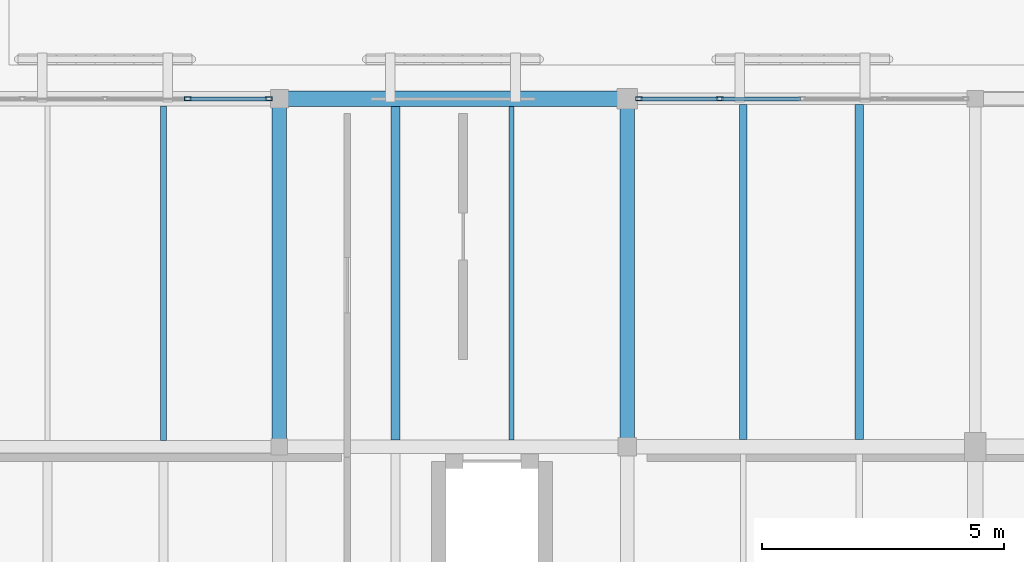
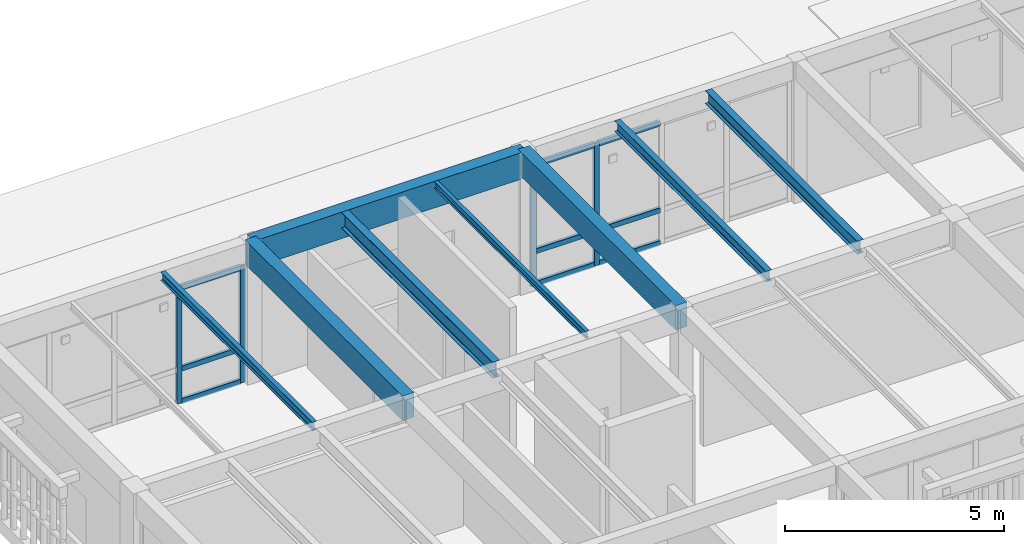
# One storey, part 64 of 112: 13 members, 8 beams, 2 elements without a shape of their own.
"""IFC4 building model written with IfcOpenShell, lengths in metres."""

from ifc_helpers import new_model, si_unit, direction, frame, origin, origin_2d, place, context, subcontext, project, spatial, rectangle, hollow_rectangle, i_section, extrude, material, layer, layer_set, material_profile, profile_set, type_object, element, aggregate, save


model = new_model("IFC4")

# Units and contexts
model_context = context("Model", 3, precision=1e-05, world=origin(), true_north=direction((0.0, 1.0)))
body_context = subcontext(model_context, "Body", "Model", "MODEL_VIEW")
ifc_project = project(units=[si_unit("LENGTHUNIT", "METRE"), si_unit("AREAUNIT", "SQUARE_METRE"), si_unit("VOLUMEUNIT", "CUBIC_METRE"), si_unit("PLANEANGLEUNIT", "RADIAN"), si_unit("MASSUNIT", "GRAM", prefix="KILO")], contexts=[model_context])

# Site, building, storey
site_placement = place(None, origin())
site = spatial("IfcSite", under=ifc_project, at=site_placement, CompositionType="ELEMENT")
building_placement = place(site_placement, origin())
building = spatial("IfcBuilding", under=site, at=building_placement, Name="Mazaris Harbour Polytechnic", CompositionType="ELEMENT")
storey_placement = place(building_placement, frame((0.0, 0.0, 13.800048828125)))
storey = spatial("IfcBuildingStorey", under=building, at=storey_placement, Name="L03", CompositionType="ELEMENT", Elevation=13.800048828125)

# Curtain wall, members
ifc_material_1 = material(Name="Anodised Bronze Aluminium and Low-E Glass", Category="aluminium")
ifc_layer = layer(ifc_material_1, 0.169921875, Name="Anodised Bronze Aluminium and Low-E Glass")
ifc_layer_set = layer_set([ifc_layer], Name="Anodised Bronze Aluminium and Low-E Glass")
curtain_wall_type = type_object("IfcCurtainWallType", Name="Studio North-Light Curtain Wall", PredefinedType="NOTDEFINED", material=ifc_layer_set)
curtain_wall_1_placement = place(storey_placement, origin())
curtain_wall_1 = element("IfcCurtainWall", 1, at=curtain_wall_1_placement, inside=storey, type_object=curtain_wall_type, Name="V5 L03 Curtain Wall 249", PredefinedType="NOTDEFINED")
ifc_material_2 = material(Name="Anodised Bronze Steel S355", Category="steel")
ifc_material_profile_1 = material_profile(ifc_material_2, hollow_rectangle(XDim=0.080078125, YDim=0.139892578125, WallThickness=0.00634765625, at=origin_2d()), Name="RHS 80x140x6.3")
ifc_profile_set_1 = profile_set([ifc_material_profile_1], Name="Anodised Bronze Steel S355")
member_type_1 = type_object("IfcMemberType", Name="Curtain Mullion RHS80x140", PredefinedType="MULLION", material=ifc_profile_set_1)
member_1_placement = place(storey_placement, frame((127.7041015625, 100.800048828125, 0.0), z_axis=(0.0, 0.0, 1.0), x_axis=(0.0, 1.0, 0.0)))
member_1 = element("IfcMember", 2, at=member_1_placement, type_object=member_type_1, Name="CW-03 mullion 4", PredefinedType="MULLION", context=body_context, shape_type="SweptSolid", body=[
    extrude(hollow_rectangle(XDim=0.080078125, YDim=0.139892578125, WallThickness=0.00634765625, at=origin_2d()), origin(), (0.0, 0.0, 1.0), 3.244873046875),
])
member_2_placement = place(storey_placement, frame((129.3779296875, 100.800048828125, 0.0), z_axis=(0.0, 0.0, 1.0), x_axis=(0.0, 1.0, 0.0)))
member_2 = element("IfcMember", 3, at=member_2_placement, type_object=member_type_1, Name="CW-03 mullion 5", PredefinedType="MULLION", context=body_context, shape_type="SweptSolid", body=[
    extrude(hollow_rectangle(XDim=0.080078125, YDim=0.139892578125, WallThickness=0.00634765625, at=origin_2d()), origin(), (0.0, 0.0, 1.0), 3.244873046875),
])

curtain_wall_2_placement = place(storey_placement, origin())
curtain_wall_2 = element("IfcCurtainWall", 4, at=curtain_wall_2_placement, inside=storey, type_object=curtain_wall_type, Name="V5 L03 Curtain Wall 250", PredefinedType="NOTDEFINED")
member_3_placement = place(storey_placement, frame((137.0419921875, 100.800048828125, 0.0), z_axis=(0.0, 0.0, 1.0), x_axis=(0.0, 1.0, 0.0)))
member_3 = element("IfcMember", 5, at=member_3_placement, type_object=member_type_1, Name="CW-03 mullion 1", PredefinedType="MULLION", context=body_context, shape_type="SweptSolid", body=[
    extrude(hollow_rectangle(XDim=0.080078125, YDim=0.139892578125, WallThickness=0.00634765625, at=origin_2d()), origin(), (0.0, 0.0, 1.0), 3.405029296875),
])
member_4_placement = place(storey_placement, frame((138.7109375, 100.800048828125, 0.0), z_axis=(0.0, 0.0, 1.0), x_axis=(0.0, 1.0, 0.0)))
member_4 = element("IfcMember", 6, at=member_4_placement, type_object=member_type_1, Name="CW-03 mullion 2", PredefinedType="MULLION", context=body_context, shape_type="SweptSolid", body=[
    extrude(hollow_rectangle(XDim=0.080078125, YDim=0.139892578125, WallThickness=0.00634765625, at=origin_2d()), origin(), (0.0, 0.0, 1.0), 3.405029296875),
])

# Member
ifc_material_3 = material(Name="Anodised Bronze Steel S355", Category="steel")
ifc_material_profile_2 = material_profile(ifc_material_3, hollow_rectangle(XDim=0.080078125, YDim=0.139892578125, WallThickness=0.00634765625, at=origin_2d()), Name="RHS 80x140x6.3")
ifc_profile_set_2 = profile_set([ifc_material_profile_2], Name="Anodised Bronze Steel S355")
member_type_2 = type_object("IfcMemberType", Name="Curtain Transom RHS80x140", PredefinedType="USERDEFINED", material=ifc_profile_set_2)
member_5_placement = place(storey_placement, frame((127.743896484375, 100.800048828125, 0.0400390625), z_axis=(1.0, 0.0, 0.0), x_axis=(0.0, 1.0, 0.0)))
member_5 = element("IfcMember", 7, at=member_5_placement, type_object=member_type_2, Name="CW-03 transom 4.1", ObjectType="TRANSOM", PredefinedType="USERDEFINED", context=body_context, shape_type="SweptSolid", body=[
    extrude(hollow_rectangle(XDim=0.080078125, YDim=0.139892578125, WallThickness=0.00634765625, at=origin_2d()), origin(), (0.0, 0.0, 1.0), 1.593994140625),
])

member_6_placement = place(storey_placement, frame((127.743896484375, 100.800048828125, 0.949951171875), z_axis=(1.0, 0.0, 0.0), x_axis=(0.0, 1.0, 0.0)))
member_6 = element("IfcMember", 8, at=member_6_placement, type_object=member_type_2, Name="CW-03 transom 4.2", ObjectType="TRANSOM", PredefinedType="USERDEFINED", context=body_context, shape_type="SweptSolid", body=[
    extrude(hollow_rectangle(XDim=0.080078125, YDim=0.139892578125, WallThickness=0.00634765625, at=origin_2d()), origin(), (0.0, 0.0, 1.0), 1.593994140625),
])

member_7_placement = place(storey_placement, frame((127.743896484375, 100.800048828125, 3.204833984375), z_axis=(1.0, 0.0, 0.0), x_axis=(0.0, 1.0, 0.0)))
member_7 = element("IfcMember", 9, at=member_7_placement, type_object=member_type_2, Name="CW-03 transom 4.3", ObjectType="TRANSOM", PredefinedType="USERDEFINED", context=body_context, shape_type="SweptSolid", body=[
    extrude(hollow_rectangle(XDim=0.080078125, YDim=0.139892578125, WallThickness=0.00634765625, at=origin_2d()), origin(), (0.0, 0.0, 1.0), 1.593994140625),
])

aggregate(curtain_wall_1, [member_1, member_2, member_5, member_6, member_7])

member_8_placement = place(storey_placement, frame((137.08203125, 100.800048828125, 0.0400390625), z_axis=(1.0, 0.0, 0.0), x_axis=(0.0, 1.0, 0.0)))
member_8 = element("IfcMember", 10, at=member_8_placement, type_object=member_type_2, Name="CW-03 transom 1.1", ObjectType="TRANSOM", PredefinedType="USERDEFINED", context=body_context, shape_type="SweptSolid", body=[
    extrude(hollow_rectangle(XDim=0.080078125, YDim=0.139892578125, WallThickness=0.00634765625, at=origin_2d()), origin(), (0.0, 0.0, 1.0), 1.5888671875),
])

member_9_placement = place(storey_placement, frame((137.08203125, 100.800048828125, 0.949951171875), z_axis=(1.0, 0.0, 0.0), x_axis=(0.0, 1.0, 0.0)))
member_9 = element("IfcMember", 11, at=member_9_placement, type_object=member_type_2, Name="CW-03 transom 1.2", ObjectType="TRANSOM", PredefinedType="USERDEFINED", context=body_context, shape_type="SweptSolid", body=[
    extrude(hollow_rectangle(XDim=0.080078125, YDim=0.139892578125, WallThickness=0.00634765625, at=origin_2d()), origin(), (0.0, 0.0, 1.0), 1.5888671875),
])

member_10_placement = place(storey_placement, frame((137.08203125, 100.800048828125, 3.364990234375), z_axis=(1.0, 0.0, 0.0), x_axis=(0.0, 1.0, 0.0)))
member_10 = element("IfcMember", 12, at=member_10_placement, type_object=member_type_2, Name="CW-03 transom 1.3", ObjectType="TRANSOM", PredefinedType="USERDEFINED", context=body_context, shape_type="SweptSolid", body=[
    extrude(hollow_rectangle(XDim=0.080078125, YDim=0.139892578125, WallThickness=0.00634765625, at=origin_2d()), origin(), (0.0, 0.0, 1.0), 1.5888671875),
])

member_11_placement = place(storey_placement, frame((138.7509765625, 100.800048828125, 0.0400390625), z_axis=(1.0, 0.0, 0.0), x_axis=(0.0, 1.0, 0.0)))
member_11 = element("IfcMember", 13, at=member_11_placement, type_object=member_type_2, Name="CW-03 transom 2.1", ObjectType="TRANSOM", PredefinedType="USERDEFINED", context=body_context, shape_type="SweptSolid", body=[
    extrude(hollow_rectangle(XDim=0.080078125, YDim=0.139892578125, WallThickness=0.00634765625, at=origin_2d()), origin(), (0.0, 0.0, 1.0), 1.62890625),
])

member_12_placement = place(storey_placement, frame((138.7509765625, 100.800048828125, 0.949951171875), z_axis=(1.0, 0.0, 0.0), x_axis=(0.0, 1.0, 0.0)))
member_12 = element("IfcMember", 14, at=member_12_placement, type_object=member_type_2, Name="CW-03 transom 2.2", ObjectType="TRANSOM", PredefinedType="USERDEFINED", context=body_context, shape_type="SweptSolid", body=[
    extrude(hollow_rectangle(XDim=0.080078125, YDim=0.139892578125, WallThickness=0.00634765625, at=origin_2d()), origin(), (0.0, 0.0, 1.0), 1.62890625),
])

member_13_placement = place(storey_placement, frame((138.7509765625, 100.800048828125, 3.364990234375), z_axis=(1.0, 0.0, 0.0), x_axis=(0.0, 1.0, 0.0)))
member_13 = element("IfcMember", 15, at=member_13_placement, type_object=member_type_2, Name="CW-03 transom 2.3", ObjectType="TRANSOM", PredefinedType="USERDEFINED", context=body_context, shape_type="SweptSolid", body=[
    extrude(hollow_rectangle(XDim=0.080078125, YDim=0.139892578125, WallThickness=0.00634765625, at=origin_2d()), origin(), (0.0, 0.0, 1.0), 1.62890625),
])

aggregate(curtain_wall_2, [member_3, member_4, member_8, member_9, member_10, member_11, member_12, member_13])

# Beams
ifc_material_4 = material(Name="Glulam GL32h", Category="wood")
ifc_material_profile_3 = material_profile(ifc_material_4, rectangle(XDim=0.300048828125, YDim=0.679931640625, at=origin_2d()), Name="RECT300x680")
ifc_profile_set_3 = profile_set([ifc_material_profile_3], Name="Glulam GL32h")
beam_type_1 = type_object("IfcBeamType", Name="Glulam Girder 300x680", PredefinedType="BEAM", material=ifc_profile_set_3)
for number, where, z_axis, x_axis, name in (
    (16, (129.60009765625, 93.60009765625, 3.594970703125), (0.0, 1.0, 0.0), (-1.0, 0.0, 0.0), "V5 L03 Tie Girder 3338"),
    (17, (136.800048828125, 93.60009765625, 3.594970703125), (0.0, 1.0, 0.0), (-1.0, 0.0, 0.0), "V5 L03 Tie Girder 3343"),
):
    element("IfcBeam", number, at=place(storey_placement, frame(where, z_axis=z_axis, x_axis=x_axis)), inside=storey, type_object=beam_type_1, Name=name, PredefinedType="BEAM", context=body_context, shape_type="SweptSolid", body=[
        extrude(rectangle(XDim=0.300048828125, YDim=0.679931640625, at=origin_2d()), origin(), (0.0, 0.0, 1.0), 7.199951171875),
    ])
ifc_material_5 = material(Name="Glulam GL32h", Category="wood")
ifc_material_profile_4 = material_profile(ifc_material_5, rectangle(XDim=0.320068359375, YDim=0.739990234375, at=origin_2d()), Name="RECT320x740")
ifc_profile_set_4 = profile_set([ifc_material_profile_4], Name="Glulam GL32h")
beam_type_2 = type_object("IfcBeamType", Name="Glulam Girder 320x740 Exterior", PredefinedType="BEAM", material=ifc_profile_set_4)
beam_1_placement = place(storey_placement, frame((129.60009765625, 100.800048828125, 3.56494140625), z_axis=(1.0, 0.0, 0.0), x_axis=(0.0, 1.0, 0.0)))
element("IfcBeam", 18, at=beam_1_placement, inside=storey, type_object=beam_type_2, Name="V5 L03 Girder 3324", PredefinedType="BEAM", context=body_context, shape_type="SweptSolid", body=[
    extrude(rectangle(XDim=0.320068359375, YDim=0.739990234375, at=origin_2d()), origin(), (0.0, 0.0, 1.0), 7.199951171875),
])
ifc_material_6 = material(Name="Steel S355", Category="steel")
ifc_material_profile_5 = material_profile(ifc_material_6, i_section(OverallWidth=0.10009765625, OverallDepth=0.199951171875, WebThickness=0.005615234375, FlangeThickness=0.008544921875, FilletRadius=0.011962890625, at=origin_2d()), Name="IPE 200")
ifc_profile_set_5 = profile_set([ifc_material_profile_5], Name="Steel S355")
beam_type_3 = type_object("IfcBeamType", Name="Steel Joist IPE200", PredefinedType="JOIST", material=ifc_profile_set_5)
beam_2_placement = place(storey_placement, frame((134.39990234375, 93.739990234375, 3.8349609375), z_axis=(0.0, 1.0, 0.0), x_axis=(-1.0, 0.0, 0.0)))
element("IfcBeam", 19, at=beam_2_placement, inside=storey, type_object=beam_type_3, Name="V5 L03 Floor Joist 3374", PredefinedType="JOIST", context=body_context, shape_type="SweptSolid", body=[
    extrude(i_section(OverallWidth=0.10009765625, OverallDepth=0.199951171875, WebThickness=0.005615234375, FlangeThickness=0.008544921875, FilletRadius=0.011962890625, at=origin_2d()), origin(), (0.0, 0.0, 1.0), 6.89990234375),
])
ifc_material_7 = material(Name="Steel S355", Category="steel")
ifc_material_profile_6 = material_profile(ifc_material_7, i_section(OverallWidth=0.1201171875, OverallDepth=0.239990234375, WebThickness=0.006103515625, FlangeThickness=0.009765625, FilletRadius=0.014892578125, at=origin_2d()), Name="IPE 240")
ifc_profile_set_6 = profile_set([ifc_material_profile_6], Name="Steel S355")
beam_type_4 = type_object("IfcBeamType", Name="Steel Joist IPE240", PredefinedType="JOIST", material=ifc_profile_set_6)
beam_3_placement = place(storey_placement, frame((127.199951171875, 93.72998046875, 3.81494140625), z_axis=(0.0, 1.0, 0.0), x_axis=(-1.0, 0.0, 0.0)))
element("IfcBeam", 20, at=beam_3_placement, inside=storey, type_object=beam_type_4, Name="V5 L03 Floor Joist 3368", PredefinedType="JOIST", context=body_context, shape_type="SweptSolid", body=[
    extrude(i_section(OverallWidth=0.1201171875, OverallDepth=0.239990234375, WebThickness=0.006103515625, FlangeThickness=0.009765625, FilletRadius=0.014892578125, at=origin_2d()), origin(), (0.0, 0.0, 1.0), 6.919921875),
])
ifc_material_8 = material(Name="Steel S355", Category="steel")
ifc_material_profile_7 = material_profile(ifc_material_8, i_section(OverallWidth=0.14990234375, OverallDepth=0.300048828125, WebThickness=0.007080078125, FlangeThickness=0.0107421875, FilletRadius=0.014892578125, at=origin_2d()), Name="IPE 300")
ifc_profile_set_7 = profile_set([ifc_material_profile_7], Name="Steel S355")
beam_type_5 = type_object("IfcBeamType", Name="Steel Joist IPE300", PredefinedType="JOIST", material=ifc_profile_set_7)
beam_4_placement = place(storey_placement, frame((139.199951171875, 93.75, 3.784912109375), z_axis=(0.0, 1.0, 0.0), x_axis=(-1.0, 0.0, 0.0)))
element("IfcBeam", 21, at=beam_4_placement, inside=storey, type_object=beam_type_5, Name="V5 L03 Floor Joist 3377", PredefinedType="JOIST", context=body_context, shape_type="SweptSolid", body=[
    extrude(i_section(OverallWidth=0.14990234375, OverallDepth=0.300048828125, WebThickness=0.007080078125, FlangeThickness=0.0107421875, FilletRadius=0.014892578125, at=origin_2d()), origin(), (0.0, 0.0, 1.0), 6.929931640625),
])
ifc_material_9 = material(Name="Steel S355", Category="steel")
ifc_material_profile_8 = material_profile(ifc_material_9, i_section(OverallWidth=0.169921875, OverallDepth=0.360107421875, WebThickness=0.008056640625, FlangeThickness=0.0126953125, FilletRadius=0.01806640625, at=origin_2d()), Name="IPE 360")
ifc_profile_set_8 = profile_set([ifc_material_profile_8], Name="Steel S355")
beam_type_6 = type_object("IfcBeamType", Name="Steel Joist IPE360", PredefinedType="JOIST", material=ifc_profile_set_8)
beam_5_placement = place(storey_placement, frame((141.60009765625, 93.75, 3.7548828125), z_axis=(0.0, 1.0, 0.0), x_axis=(-1.0, 0.0, 0.0)))
element("IfcBeam", 22, at=beam_5_placement, inside=storey, type_object=beam_type_6, Name="V5 L03 Floor Joist 3378", PredefinedType="JOIST", context=body_context, shape_type="SweptSolid", body=[
    extrude(i_section(OverallWidth=0.169921875, OverallDepth=0.360107421875, WebThickness=0.008056640625, FlangeThickness=0.0126953125, FilletRadius=0.01806640625, at=origin_2d()), origin(), (0.0, 0.0, 1.0), 6.929931640625),
])
ifc_material_10 = material(Name="Steel S355", Category="steel")
ifc_material_profile_9 = material_profile(ifc_material_10, i_section(OverallWidth=0.18994140625, OverallDepth=0.449951171875, WebThickness=0.009521484375, FlangeThickness=0.0146484375, FilletRadius=0.02099609375, at=origin_2d()), Name="IPE 450")
ifc_profile_set_9 = profile_set([ifc_material_profile_9], Name="Steel S355")
beam_type_7 = type_object("IfcBeamType", Name="Steel Joist IPE450", PredefinedType="JOIST", material=ifc_profile_set_9)
beam_6_placement = place(storey_placement, frame((132.0, 93.739990234375, 3.7099609375), z_axis=(0.0, 1.0, 0.0), x_axis=(-1.0, 0.0, 0.0)))
element("IfcBeam", 23, at=beam_6_placement, inside=storey, type_object=beam_type_7, Name="V5 L03 Floor Joist 3373", PredefinedType="JOIST", context=body_context, shape_type="SweptSolid", body=[
    extrude(i_section(OverallWidth=0.18994140625, OverallDepth=0.449951171875, WebThickness=0.009521484375, FlangeThickness=0.0146484375, FilletRadius=0.02099609375, at=origin_2d()), origin(), (0.0, 0.0, 1.0), 6.89990234375),
])

save(model, "model.ifc")
